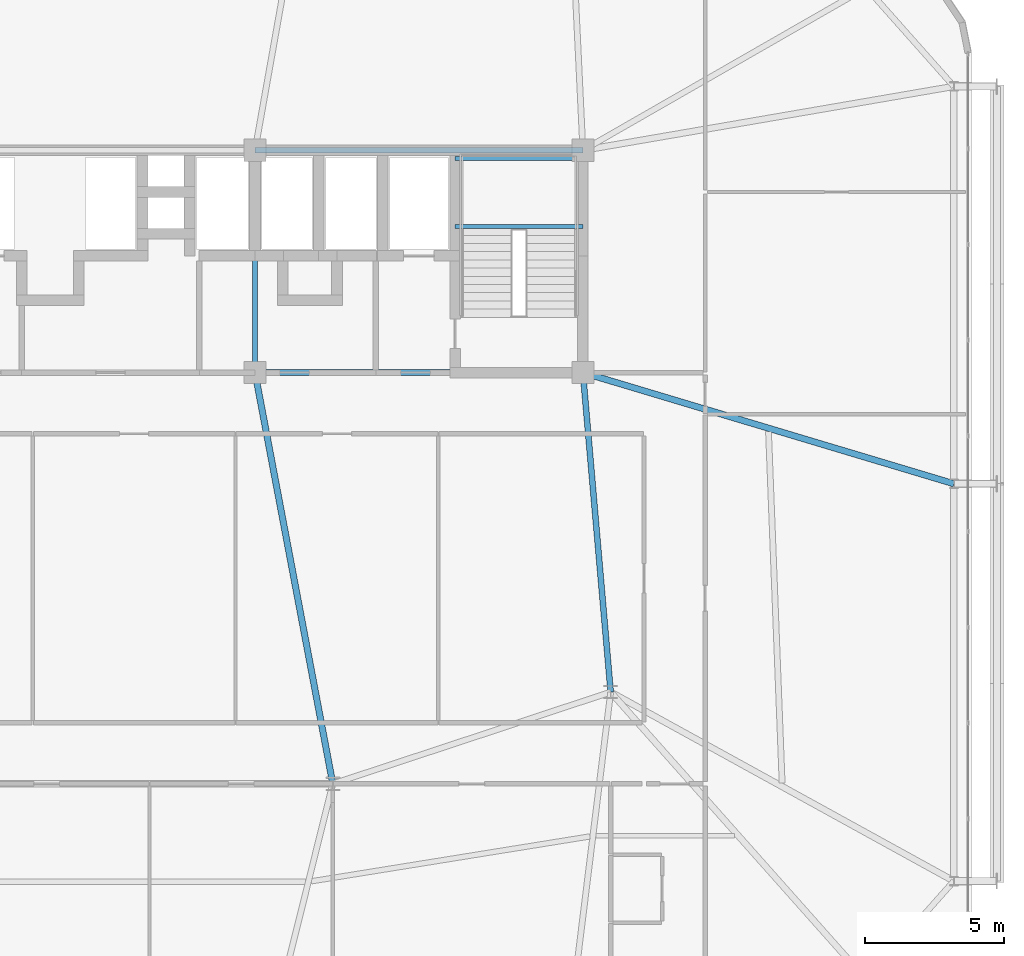
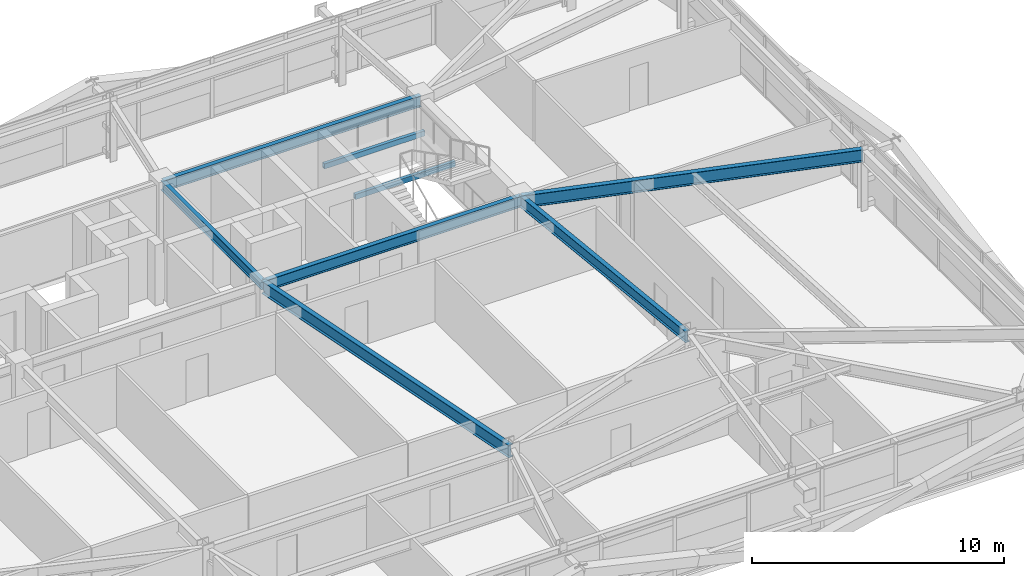
# One storey, part 29 of 58: 8 beams.
"""IFC4 building model written with IfcOpenShell, lengths in metres."""

from ifc_helpers import new_model, si_unit, direction, frame, origin, origin_2d, place, context, subcontext, project, spatial, hollow_rectangle, i_section, extrude, source, transform, mapped, material, material_profile, profile_set, type_object, element, save


model = new_model("IFC4")

# Units and contexts
model_context = context("Model", 3, precision=1e-05, world=origin(), true_north=direction((0.0, 1.0)))
body_context = subcontext(model_context, "Body", "Model", "MODEL_VIEW")
ifc_project = project(units=[si_unit("LENGTHUNIT", "METRE"), si_unit("AREAUNIT", "SQUARE_METRE"), si_unit("VOLUMEUNIT", "CUBIC_METRE"), si_unit("PLANEANGLEUNIT", "RADIAN"), si_unit("MASSUNIT", "GRAM", prefix="KILO")], contexts=[model_context])

# Site, building, storey
site_placement = place(None, origin())
site = spatial("IfcSite", under=ifc_project, at=site_placement, CompositionType="ELEMENT")
building_placement = place(site_placement, origin())
building = spatial("IfcBuilding", under=site, at=building_placement, Name="Taldren Reach Tower", CompositionType="ELEMENT")
storey_placement = place(building_placement, frame((0.0, 0.0, 35.699951171875)))
storey = spatial("IfcBuildingStorey", under=building, at=storey_placement, Name="L10", CompositionType="ELEMENT", Elevation=35.699951171875)

# Beams
ifc_material_1 = material(Name="Steel Gr 350 (350PLUS)", Category="steel")
ifc_material_profile_1 = material_profile(ifc_material_1, i_section(OverallWidth=0.208984375, OverallDepth=0.532958984375, WebThickness=0.01025390625, FlangeThickness=0.015625, at=origin_2d()), Name="530UB92.4")
ifc_profile_set_1 = profile_set([ifc_material_profile_1], Name="Steel Gr 350 (350PLUS)")
beam_type_1 = type_object("IfcBeamType", Name="BM-UB530A", PredefinedType="BEAM", material=ifc_profile_set_1)
shared_shape_1 = source(origin(), body_context, "Body", "SweptSolid", [
    extrude(i_section(OverallWidth=0.208984375, OverallDepth=0.532958984375, WebThickness=0.01025390625, FlangeThickness=0.015625, at=origin_2d()), origin(), (0.0, 0.0, 1.0), 11.800048828125),
])
for number, where, z_axis, x_axis, name in (
    (1, (39.199951171875, 24.0, 2.66357421875), (1.0, 0.0, 0.0), (0.0, 1.0, 0.0), "Core-spine girder L10-SP03"),
    (2, (39.199951171875, 32.0, 2.66357421875), (1.0, 0.0, 0.0), (0.0, 1.0, 0.0), "Core-spine girder L10-SP06"),
):
    element("IfcBeam", number, at=place(storey_placement, frame(where, z_axis=z_axis, x_axis=x_axis)), inside=storey, type_object=beam_type_1, Name=name, PredefinedType="BEAM", context=body_context, shape_type="MappedRepresentation", body=[
        mapped(shared_shape_1, transform((0.0, 0.0, 0.0), scale=1.0)),
    ])
ifc_material_profile_2 = material_profile(ifc_material_1, i_section(OverallWidth=0.19091796875, OverallDepth=0.4599609375, WebThickness=0.010009765625, FlangeThickness=0.01611328125, at=origin_2d()), Name="460UB82.1")
ifc_profile_set_2 = profile_set([ifc_material_profile_2], Name="Steel Gr 350 (350PLUS)")
beam_type_2 = type_object("IfcBeamType", Name="BM-UB460A", PredefinedType="BEAM", material=ifc_profile_set_2)
shared_shape_2 = source(origin(), body_context, "Body", "SweptSolid", [
    extrude(i_section(OverallWidth=0.19091796875, OverallDepth=0.4599609375, WebThickness=0.010009765625, FlangeThickness=0.01611328125, at=origin_2d()), origin(), (0.0, 0.0, 1.0), 8.0),
])
beam_1_placement = place(storey_placement, frame((39.199951171875, 24.0, 2.699951171875), z_axis=(0.0, 1.0, 0.0), x_axis=(-1.0, 0.0, 0.0)))
element("IfcBeam", 3, at=beam_1_placement, inside=storey, type_object=beam_type_2, Name="Core-spine girder L10-SP08", PredefinedType="BEAM", context=body_context, shape_type="MappedRepresentation", body=[
    mapped(shared_shape_2, transform((0.0, 0.0, 0.0), scale=1.0)),
])
shared_shape_3 = source(origin(), body_context, "Body", "SweptSolid", [
    extrude(i_section(OverallWidth=0.208984375, OverallDepth=0.532958984375, WebThickness=0.01025390625, FlangeThickness=0.015625, at=origin_2d()), origin(), (0.0, 0.0, 1.0), 11.54345703125),
])
beam_2_placement = place(storey_placement, frame((52.0, 12.5, 2.66357421875), z_axis=(-0.086629616365, 0.996240588196, 0.0), x_axis=(-0.996240588196, -0.086629616365, 0.0)))
element("IfcBeam", 4, at=beam_2_placement, inside=storey, type_object=beam_type_1, Name="Core-spine girder L10-SP13", PredefinedType="BEAM", context=body_context, shape_type="MappedRepresentation", body=[
    mapped(shared_shape_3, transform((0.0, 0.0, 0.0), scale=1.0)),
])
ifc_material_profile_3 = material_profile(ifc_material_1, i_section(OverallWidth=0.22802734375, OverallDepth=0.60205078125, WebThickness=0.010498046875, FlangeThickness=0.014892578125, at=origin_2d()), Name="610UB101")
ifc_profile_set_3 = profile_set([ifc_material_profile_3], Name="Steel Gr 350 (350PLUS)")
beam_type_3 = type_object("IfcBeamType", Name="BM-UB610B", PredefinedType="BEAM", material=ifc_profile_set_3)
shared_shape_4 = source(origin(), body_context, "Body", "SweptSolid", [
    extrude(i_section(OverallWidth=0.22802734375, OverallDepth=0.60205078125, WebThickness=0.010498046875, FlangeThickness=0.014892578125, at=origin_2d()), origin(), (0.0, 0.0, 1.0), 15.0625),
])
beam_3_placement = place(storey_placement, frame((39.199951171875, 24.0, 2.629150390625), z_axis=(0.185894205668, -0.982569765614, 0.0), x_axis=(0.982569765614, 0.185894205668, 0.0)))
element("IfcBeam", 5, at=beam_3_placement, inside=storey, type_object=beam_type_3, Name="Core-spine girder L10-SP15", PredefinedType="BEAM", context=body_context, shape_type="MappedRepresentation", body=[
    mapped(shared_shape_4, transform((0.0, 0.0, 0.0), scale=1.0)),
])
shared_shape_5 = source(origin(), body_context, "Body", "SweptSolid", [
    extrude(i_section(OverallWidth=0.22802734375, OverallDepth=0.60205078125, WebThickness=0.010498046875, FlangeThickness=0.014892578125, at=origin_2d()), origin(), (0.0, 0.0, 1.0), 13.9365234375),
])
beam_4_placement = place(storey_placement, frame((51.0, 24.0, 2.629150390625), z_axis=(0.957925550891, -0.287016792104, 0.0), x_axis=(0.287016792104, 0.957925550891, 0.0)))
element("IfcBeam", 6, at=beam_4_placement, inside=storey, type_object=beam_type_3, Name="Primary floor girder B1-E2 L10", PredefinedType="BEAM", context=body_context, shape_type="MappedRepresentation", body=[
    mapped(shared_shape_5, transform((0.0, 0.0, 0.0), scale=1.0)),
])
ifc_material_2 = material(Name="Steel Gr 350 (C350L0)", Category="steel")
ifc_material_profile_4 = material_profile(ifc_material_2, hollow_rectangle(XDim=0.14990234375, YDim=0.25, WallThickness=0.009033203125, at=origin_2d()), Name="250x150x9.0RHS")
ifc_profile_set_4 = profile_set([ifc_material_profile_4], Name="Steel Gr 350 (C350L0)")
beam_type_4 = type_object("IfcBeamType", Name="LN-RHS250", PredefinedType="LINTEL", material=ifc_profile_set_4)
shared_shape_6 = source(origin(), body_context, "Body", "SweptSolid", [
    extrude(hollow_rectangle(XDim=0.14990234375, YDim=0.25, WallThickness=0.009033203125, at=origin_2d()), origin(), (0.0, 0.0, 1.0), 4.60009765625),
])
for number, where, z_axis, x_axis, name in (
    (7, (46.39990234375, 29.2548828125, 1.27001953125), (1.0, 0.0, 0.0), (0.0, 1.0, 0.0), "Stair half-landing support beam ST2-L10-1"),
    (8, (46.39990234375, 31.699951171875, 1.27001953125), (1.0, 0.0, 0.0), (0.0, 1.0, 0.0), "Stair half-landing support beam ST2-L10-2"),
):
    element("IfcBeam", number, at=place(storey_placement, frame(where, z_axis=z_axis, x_axis=x_axis)), inside=storey, type_object=beam_type_4, Name=name, PredefinedType="LINTEL", context=body_context, shape_type="MappedRepresentation", body=[
        mapped(shared_shape_6, transform((0.0, 0.0, 0.0), scale=1.0)),
    ])

save(model, "model.ifc")
